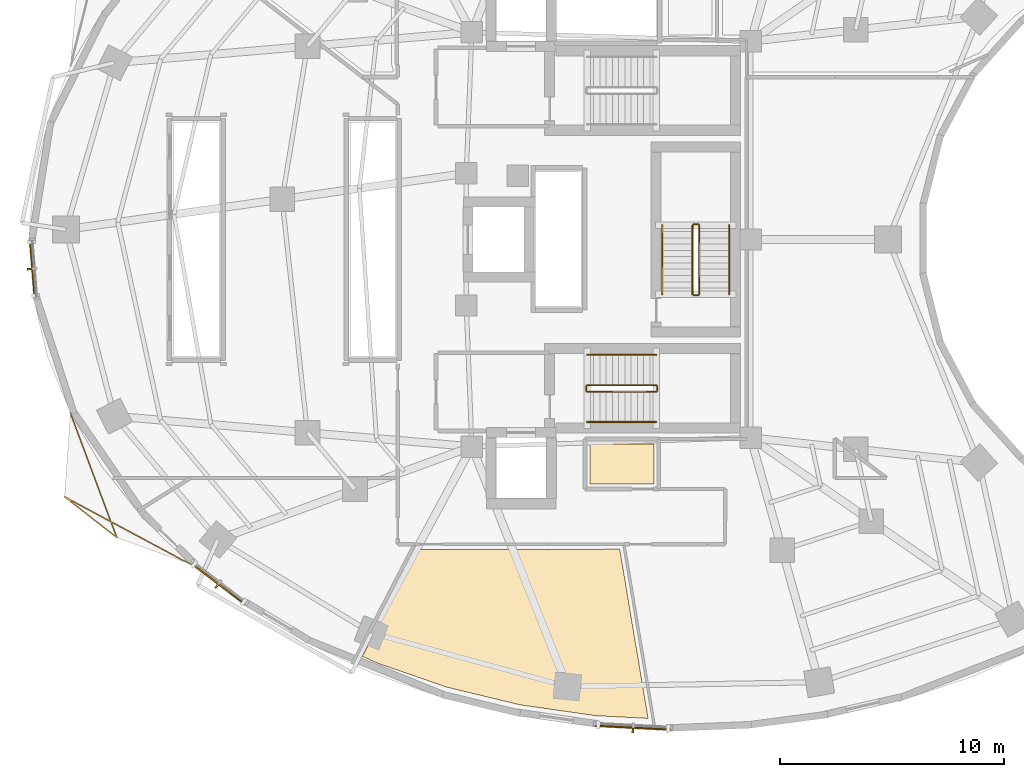
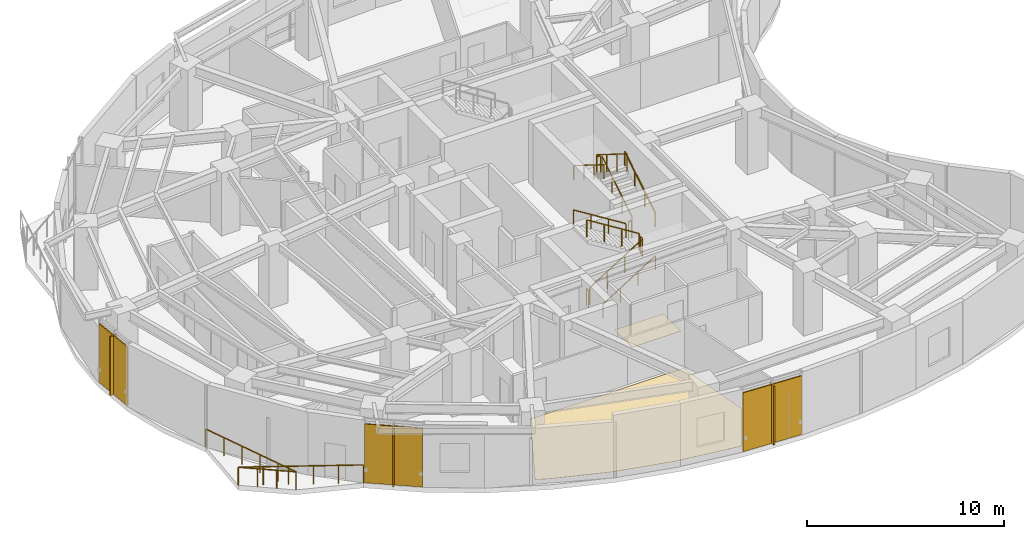
# One storey, part 12 of 14: 13 railings, 6 shading devices, 2 coverings.
"""IFC4 building model written with IfcOpenShell, lengths in metres."""

from ifc_helpers import new_model, si_unit, direction, frame, origin, origin_2d, place, context, subcontext, project, spatial, polyline, rectangle, outline, extrude, material, layer, layer_set, type_object, element, save


model = new_model("IFC4")

# Units and contexts
model_context = context("Model", 3, precision=1e-05, world=origin(), true_north=direction((0.0, 1.0)))
body_context = subcontext(model_context, "Body", "Model", "MODEL_VIEW")
ifc_project = project(units=[si_unit("LENGTHUNIT", "METRE"), si_unit("AREAUNIT", "SQUARE_METRE"), si_unit("VOLUMEUNIT", "CUBIC_METRE"), si_unit("PLANEANGLEUNIT", "RADIAN"), si_unit("MASSUNIT", "GRAM", prefix="KILO")], contexts=[model_context])

# Site, building, storey
site_placement = place(None, origin())
site = spatial("IfcSite", under=ifc_project, at=site_placement, CompositionType="ELEMENT")
building_placement = place(site_placement, origin())
building = spatial("IfcBuilding", under=site, at=building_placement, Name="Korentha Bioscience Tower", CompositionType="ELEMENT")
storey_placement = place(building_placement, frame((0.0, 0.0, 132.0)))
storey = spatial("IfcBuildingStorey", under=building, at=storey_placement, Name="L30", CompositionType="ELEMENT", Elevation=132.0)

# Railings
ifc_material_1 = material(Name="Stainless Steel 304", Category="steel")
railing_type_1 = type_object("IfcRailingType", Name="Brushed Stainless Stair Handrail 900", PredefinedType="HANDRAIL", material=ifc_material_1)
railing_1_placement = place(storey_placement, frame((30.25, 18.85009765625, 0.175048828125)))
element("IfcRailing", 1, at=railing_1_placement, inside=storey, type_object=railing_type_1, Name="L30 ST-2 stair handrail 1", PredefinedType="HANDRAIL", context=body_context, shape_type="SweptSolid", body=[
    extrude(rectangle(XDim=0.048095703125, YDim=0.048095703125, at=origin_2d()), frame((0.0, 0.0, 0.8759765625), z_axis=(0.847998304005, 0.0, 0.529998940003), x_axis=(0.0, 1.0, 0.0)), (0.0, 0.0, 1.0), 3.632080078125),
    extrude(rectangle(XDim=0.0419921875, YDim=0.0419921875, at=origin_2d()), origin(), (0.0, 0.0, 1.0), 0.851806640625),
    extrude(rectangle(XDim=0.0419921875, YDim=0.0419921875, at=origin_2d()), frame((1.026611328125, 0.0, 0.6416015625)), (0.0, 0.0, 1.0), 0.851806640625),
    extrude(rectangle(XDim=0.0419921875, YDim=0.0419921875, at=origin_2d()), frame((2.053466796875, 0.0, 1.283447265625)), (0.0, 0.0, 1.0), 0.851806640625),
    extrude(rectangle(XDim=0.0419921875, YDim=0.0419921875, at=origin_2d()), frame((3.080078125, 0.0, 1.925048828125)), (0.0, 0.0, 1.0), 0.851806640625),
])
railing_2_placement = place(storey_placement, frame((33.330078125, 21.85009765625, 2.27490234375)))
element("IfcRailing", 2, at=railing_2_placement, inside=storey, type_object=railing_type_1, Name="L30 ST-2 stair handrail 2", PredefinedType="HANDRAIL", context=body_context, shape_type="SweptSolid", body=[
    extrude(rectangle(XDim=0.048095703125, YDim=0.048095703125, at=origin_2d()), frame((0.0, 0.0, 0.8759765625), z_axis=(-0.847998304005, 0.0, 0.529998940003), x_axis=(0.0, -1.0, 0.0)), (0.0, 0.0, 1.0), 3.632080078125),
    extrude(rectangle(XDim=0.0419921875, YDim=0.0419921875, at=origin_2d()), origin(), (0.0, 0.0, 1.0), 0.851806640625),
    extrude(rectangle(XDim=0.0419921875, YDim=0.0419921875, at=origin_2d()), frame((-1.026611328125, 0.0, 0.6416015625)), (0.0, 0.0, 1.0), 0.851806640625),
    extrude(rectangle(XDim=0.0419921875, YDim=0.0419921875, at=origin_2d()), frame((-2.053466796875, 0.0, 1.283447265625)), (0.0, 0.0, 1.0), 0.851806640625),
    extrude(rectangle(XDim=0.0419921875, YDim=0.0419921875, at=origin_2d()), frame((-3.080078125, 0.0, 1.925048828125)), (0.0, 0.0, 1.0), 0.851806640625),
])
railing_3_placement = place(storey_placement, frame((36.60009765625, 24.550048828125, 0.175048828125)))
element("IfcRailing", 3, at=railing_3_placement, inside=storey, type_object=railing_type_1, Name="L30 ST-3 stair handrail 1", PredefinedType="HANDRAIL", context=body_context, shape_type="SweptSolid", body=[
    extrude(rectangle(XDim=0.048095703125, YDim=0.048095703125, at=origin_2d()), frame((0.0, 0.0, 0.8759765625), z_axis=(0.0, 0.847979421464, 0.530029150871), x_axis=(-1.0, 0.0, 0.0)), (0.0, 0.0, 1.0), 3.632080078125),
    extrude(rectangle(XDim=0.0419921875, YDim=0.0419921875, at=origin_2d()), origin(), (0.0, 0.0, 1.0), 0.851806640625),
    extrude(rectangle(XDim=0.0419921875, YDim=0.0419921875, at=origin_2d()), frame((0.0, 1.026611328125, 0.6416015625)), (0.0, 0.0, 1.0), 0.851806640625),
    extrude(rectangle(XDim=0.0419921875, YDim=0.0419921875, at=origin_2d()), frame((0.0, 2.05322265625, 1.283447265625)), (0.0, 0.0, 1.0), 0.851806640625),
    extrude(rectangle(XDim=0.0419921875, YDim=0.0419921875, at=origin_2d()), frame((0.0, 3.079833984375, 1.925048828125)), (0.0, 0.0, 1.0), 0.851806640625),
])
railing_4_placement = place(storey_placement, frame((33.60009765625, 27.6298828125, 2.27490234375)))
element("IfcRailing", 4, at=railing_4_placement, inside=storey, type_object=railing_type_1, Name="L30 ST-3 stair handrail 2", PredefinedType="HANDRAIL", context=body_context, shape_type="SweptSolid", body=[
    extrude(rectangle(XDim=0.048095703125, YDim=0.048095703125, at=origin_2d()), frame((0.0, 0.0, 0.8759765625), z_axis=(0.0, -0.847979421464, 0.530029150871), x_axis=(1.0, 0.0, 0.0)), (0.0, 0.0, 1.0), 3.632080078125),
    extrude(rectangle(XDim=0.0419921875, YDim=0.0419921875, at=origin_2d()), origin(), (0.0, 0.0, 1.0), 0.851806640625),
    extrude(rectangle(XDim=0.0419921875, YDim=0.0419921875, at=origin_2d()), frame((0.0, -1.026611328125, 0.6416015625)), (0.0, 0.0, 1.0), 0.851806640625),
    extrude(rectangle(XDim=0.0419921875, YDim=0.0419921875, at=origin_2d()), frame((0.0, -2.05322265625, 1.283447265625)), (0.0, 0.0, 1.0), 0.851806640625),
    extrude(rectangle(XDim=0.0419921875, YDim=0.0419921875, at=origin_2d()), frame((0.0, -3.079833984375, 1.925048828125)), (0.0, 0.0, 1.0), 0.851806640625),
])
ifc_material_2 = material(Name="Laminated Tempered Safety Glass", Category="glass")
railing_type_2 = type_object("IfcRailingType", Name="Laminated Glass Balcony Guardrail 1150", PredefinedType="BALUSTRADE", material=ifc_material_2)
railing_5_placement = place(storey_placement, frame((7.17626953125, 19.25390625, 0.0)))
element("IfcRailing", 5, at=railing_5_placement, inside=storey, type_object=railing_type_2, Name="L30 Balcony Guardrail 03", PredefinedType="BALUSTRADE", context=body_context, shape_type="SweptSolid", body=[
    extrude(rectangle(XDim=0.048095703125, YDim=0.048095703125, at=origin_2d()), frame((0.0, 0.0, 1.1259765625), z_axis=(0.349155006041, -0.937064982675, 0.0), x_axis=(0.937064982675, 0.349155006041, 0.0)), (0.0, 0.0, 1.0), 5.942138671875),
    extrude(rectangle(XDim=0.048095703125, YDim=0.048095703125, at=origin_2d()), frame((2.07470703125, -5.568115234375, 1.1259765625), z_axis=(-0.78833232716, 0.615249658231, 0.0), x_axis=(-0.615249658231, -0.78833232716, 0.0)), (0.0, 0.0, 1.0), 2.9677734375),
    extrude(rectangle(XDim=0.048095703125, YDim=0.048095703125, at=origin_2d()), frame((-0.264892578125, -3.7421875, 1.1259765625), z_axis=(0.881422384885, -0.472328889042, 0.0), x_axis=(0.472328889042, 0.881422384885, 0.0)), (0.0, 0.0, 1.0), 6.366455078125),
    extrude(rectangle(XDim=0.0419921875, YDim=0.0419921875, at=origin_2d()), origin(), (0.0, 0.0, 1.0), 1.101806640625),
    extrude(rectangle(XDim=0.0419921875, YDim=0.0419921875, at=origin_2d()), frame((0.4150390625, -1.113525390625, 0.0)), (0.0, 0.0, 1.0), 1.101806640625),
    extrude(rectangle(XDim=0.0419921875, YDim=0.0419921875, at=origin_2d()), frame((0.829833984375, -2.227294921875, 0.0)), (0.0, 0.0, 1.0), 1.101806640625),
    extrude(rectangle(XDim=0.0419921875, YDim=0.0419921875, at=origin_2d()), frame((1.244873046875, -3.3408203125, 0.0)), (0.0, 0.0, 1.0), 1.101806640625),
    extrude(rectangle(XDim=0.0419921875, YDim=0.0419921875, at=origin_2d()), frame((1.65966796875, -4.45458984375, 0.0)), (0.0, 0.0, 1.0), 1.101806640625),
    extrude(rectangle(XDim=0.0419921875, YDim=0.0419921875, at=origin_2d()), frame((2.07470703125, -5.568115234375, 0.0)), (0.0, 0.0, 1.0), 1.101806640625),
    extrude(rectangle(XDim=0.0419921875, YDim=0.0419921875, at=origin_2d()), frame((1.294921875, -4.95947265625, 0.0)), (0.0, 0.0, 1.0), 1.101806640625),
    extrude(rectangle(XDim=0.0419921875, YDim=0.0419921875, at=origin_2d()), frame((0.514892578125, -4.350830078125, 0.0)), (0.0, 0.0, 1.0), 1.101806640625),
    extrude(rectangle(XDim=0.0419921875, YDim=0.0419921875, at=origin_2d()), frame((-0.264892578125, -3.7421875, 0.0)), (0.0, 0.0, 1.0), 1.101806640625),
    extrude(rectangle(XDim=0.0419921875, YDim=0.0419921875, at=origin_2d()), frame((0.857421875, -4.343505859375, 0.0)), (0.0, 0.0, 1.0), 1.101806640625),
    extrude(rectangle(XDim=0.0419921875, YDim=0.0419921875, at=origin_2d()), frame((1.979736328125, -4.945068359375, 0.0)), (0.0, 0.0, 1.0), 1.101806640625),
    extrude(rectangle(XDim=0.0419921875, YDim=0.0419921875, at=origin_2d()), frame((3.10205078125, -5.54638671875, 0.0)), (0.0, 0.0, 1.0), 1.101806640625),
    extrude(rectangle(XDim=0.0419921875, YDim=0.0419921875, at=origin_2d()), frame((4.224365234375, -6.14794921875, 0.0)), (0.0, 0.0, 1.0), 1.101806640625),
    extrude(rectangle(XDim=0.0419921875, YDim=0.0419921875, at=origin_2d()), frame((5.3466796875, -6.749267578125, 0.0)), (0.0, 0.0, 1.0), 1.101806640625),
])
ifc_material_3 = material(Name="Painted Steel S275", Category="steel")
railing_type_3 = type_object("IfcRailingType", Name="Painted Steel Stair Well Guardrail 1100", PredefinedType="GUARDRAIL", material=ifc_material_3)
railing_6_placement = place(storey_placement, frame((30.25, 20.199951171875, 0.175048828125)))
element("IfcRailing", 6, at=railing_6_placement, inside=storey, type_object=railing_type_3, Name="L30 ST-2 stair guard 1", PredefinedType="GUARDRAIL", context=body_context, shape_type="SweptSolid", body=[
    extrude(rectangle(XDim=0.048095703125, YDim=0.048095703125, at=origin_2d()), frame((0.0, 0.0, 1.076171875), z_axis=(0.847998304005, 0.0, 0.529998940003), x_axis=(0.0, 1.0, 0.0)), (0.0, 0.0, 1.0), 3.632080078125),
    extrude(rectangle(XDim=0.0419921875, YDim=0.0419921875, at=origin_2d()), origin(), (0.0, 0.0, 1.0), 1.052001953125),
    extrude(rectangle(XDim=0.0419921875, YDim=0.0419921875, at=origin_2d()), frame((1.026611328125, 0.0, 0.6416015625)), (0.0, 0.0, 1.0), 1.052001953125),
    extrude(rectangle(XDim=0.0419921875, YDim=0.0419921875, at=origin_2d()), frame((2.053466796875, 0.0, 1.283447265625)), (0.0, 0.0, 1.0), 1.052001953125),
    extrude(rectangle(XDim=0.0419921875, YDim=0.0419921875, at=origin_2d()), frame((3.080078125, 0.0, 1.925048828125)), (0.0, 0.0, 1.0), 1.052001953125),
])
railing_7_placement = place(storey_placement, frame((33.3798828125, 20.25, 2.10009765625)))
element("IfcRailing", 7, at=railing_7_placement, inside=storey, type_object=railing_type_3, Name="L30 ST-2 stair guard 2", PredefinedType="GUARDRAIL", context=body_context, shape_type="SweptSolid", body=[
    extrude(rectangle(XDim=0.048095703125, YDim=0.048095703125, at=origin_2d()), frame((0.0, 0.0, 1.076171875), z_axis=(0.0, 1.0, 0.0), x_axis=(-1.0, 0.0, 0.0)), (0.0, 0.0, 1.0), 0.199951171875),
    extrude(rectangle(XDim=0.0419921875, YDim=0.0419921875, at=origin_2d()), origin(), (0.0, 0.0, 1.0), 1.052001953125),
    extrude(rectangle(XDim=0.0419921875, YDim=0.0419921875, at=origin_2d()), frame((0.0, 0.199951171875, 0.0)), (0.0, 0.0, 1.0), 1.052001953125),
])
railing_8_placement = place(storey_placement, frame((33.330078125, 20.5, 2.27490234375)))
element("IfcRailing", 8, at=railing_8_placement, inside=storey, type_object=railing_type_3, Name="L30 ST-2 stair guard 3", PredefinedType="GUARDRAIL", context=body_context, shape_type="SweptSolid", body=[
    extrude(rectangle(XDim=0.048095703125, YDim=0.048095703125, at=origin_2d()), frame((0.0, 0.0, 1.076171875), z_axis=(-0.847998304005, 0.0, 0.529998940003), x_axis=(0.0, -1.0, 0.0)), (0.0, 0.0, 1.0), 3.632080078125),
    extrude(rectangle(XDim=0.0419921875, YDim=0.0419921875, at=origin_2d()), origin(), (0.0, 0.0, 1.0), 1.052001953125),
    extrude(rectangle(XDim=0.0419921875, YDim=0.0419921875, at=origin_2d()), frame((-1.026611328125, 0.0, 0.6416015625)), (0.0, 0.0, 1.0), 1.052001953125),
    extrude(rectangle(XDim=0.0419921875, YDim=0.0419921875, at=origin_2d()), frame((-2.053466796875, 0.0, 1.283447265625)), (0.0, 0.0, 1.0), 1.052001953125),
    extrude(rectangle(XDim=0.0419921875, YDim=0.0419921875, at=origin_2d()), frame((-3.080078125, 0.0, 1.925048828125)), (0.0, 0.0, 1.0), 1.052001953125),
])
railing_9_placement = place(storey_placement, frame((30.199951171875, 20.25, 0.0)))
element("IfcRailing", 9, at=railing_9_placement, inside=storey, type_object=railing_type_3, Name="L30 ST-2 stair guard 4", PredefinedType="GUARDRAIL", context=body_context, shape_type="SweptSolid", body=[
    extrude(rectangle(XDim=0.048095703125, YDim=0.048095703125, at=origin_2d()), frame((0.0, 0.0, 1.076171875), z_axis=(0.0, 1.0, 0.0), x_axis=(-1.0, 0.0, 0.0)), (0.0, 0.0, 1.0), 0.199951171875),
    extrude(rectangle(XDim=0.0419921875, YDim=0.0419921875, at=origin_2d()), origin(), (0.0, 0.0, 1.0), 1.052001953125),
    extrude(rectangle(XDim=0.0419921875, YDim=0.0419921875, at=origin_2d()), frame((0.0, 0.199951171875, 0.0)), (0.0, 0.0, 1.0), 1.052001953125),
])
railing_10_placement = place(storey_placement, frame((35.25, 24.550048828125, 0.175048828125)))
element("IfcRailing", 10, at=railing_10_placement, inside=storey, type_object=railing_type_3, Name="L30 ST-3 stair guard 1", PredefinedType="GUARDRAIL", context=body_context, shape_type="SweptSolid", body=[
    extrude(rectangle(XDim=0.048095703125, YDim=0.048095703125, at=origin_2d()), frame((0.0, 0.0, 1.076171875), z_axis=(0.0, 0.847979421464, 0.530029150871), x_axis=(-1.0, 0.0, 0.0)), (0.0, 0.0, 1.0), 3.632080078125),
    extrude(rectangle(XDim=0.0419921875, YDim=0.0419921875, at=origin_2d()), origin(), (0.0, 0.0, 1.0), 1.052001953125),
    extrude(rectangle(XDim=0.0419921875, YDim=0.0419921875, at=origin_2d()), frame((0.0, 1.026611328125, 0.6416015625)), (0.0, 0.0, 1.0), 1.052001953125),
    extrude(rectangle(XDim=0.0419921875, YDim=0.0419921875, at=origin_2d()), frame((0.0, 2.05322265625, 1.283447265625)), (0.0, 0.0, 1.0), 1.052001953125),
    extrude(rectangle(XDim=0.0419921875, YDim=0.0419921875, at=origin_2d()), frame((0.0, 3.079833984375, 1.925048828125)), (0.0, 0.0, 1.0), 1.052001953125),
])
railing_11_placement = place(storey_placement, frame((35.199951171875, 27.679931640625, 2.10009765625)))
element("IfcRailing", 11, at=railing_11_placement, inside=storey, type_object=railing_type_3, Name="L30 ST-3 stair guard 2", PredefinedType="GUARDRAIL", context=body_context, shape_type="SweptSolid", body=[
    extrude(rectangle(XDim=0.048095703125, YDim=0.048095703125, at=origin_2d()), frame((0.0, 0.0, 1.076171875), z_axis=(-1.0, 0.0, 0.0), x_axis=(0.0, -1.0, 0.0)), (0.0, 0.0, 1.0), 0.199951171875),
    extrude(rectangle(XDim=0.0419921875, YDim=0.0419921875, at=origin_2d()), origin(), (0.0, 0.0, 1.0), 1.052001953125),
    extrude(rectangle(XDim=0.0419921875, YDim=0.0419921875, at=origin_2d()), frame((-0.199951171875, 0.0, 0.0)), (0.0, 0.0, 1.0), 1.052001953125),
])
railing_12_placement = place(storey_placement, frame((34.949951171875, 27.6298828125, 2.27490234375)))
element("IfcRailing", 12, at=railing_12_placement, inside=storey, type_object=railing_type_3, Name="L30 ST-3 stair guard 3", PredefinedType="GUARDRAIL", context=body_context, shape_type="SweptSolid", body=[
    extrude(rectangle(XDim=0.048095703125, YDim=0.048095703125, at=origin_2d()), frame((0.0, 0.0, 1.076171875), z_axis=(0.0, -0.847979421464, 0.530029150871), x_axis=(1.0, 0.0, 0.0)), (0.0, 0.0, 1.0), 3.632080078125),
    extrude(rectangle(XDim=0.0419921875, YDim=0.0419921875, at=origin_2d()), origin(), (0.0, 0.0, 1.0), 1.052001953125),
    extrude(rectangle(XDim=0.0419921875, YDim=0.0419921875, at=origin_2d()), frame((0.0, -1.026611328125, 0.6416015625)), (0.0, 0.0, 1.0), 1.052001953125),
    extrude(rectangle(XDim=0.0419921875, YDim=0.0419921875, at=origin_2d()), frame((0.0, -2.05322265625, 1.283447265625)), (0.0, 0.0, 1.0), 1.052001953125),
    extrude(rectangle(XDim=0.0419921875, YDim=0.0419921875, at=origin_2d()), frame((0.0, -3.079833984375, 1.925048828125)), (0.0, 0.0, 1.0), 1.052001953125),
])
railing_13_placement = place(storey_placement, frame((35.199951171875, 24.5, 0.0)))
element("IfcRailing", 13, at=railing_13_placement, inside=storey, type_object=railing_type_3, Name="L30 ST-3 stair guard 4", PredefinedType="GUARDRAIL", context=body_context, shape_type="SweptSolid", body=[
    extrude(rectangle(XDim=0.048095703125, YDim=0.048095703125, at=origin_2d()), frame((0.0, 0.0, 1.076171875), z_axis=(-1.0, 0.0, 0.0), x_axis=(0.0, -1.0, 0.0)), (0.0, 0.0, 1.0), 0.199951171875),
    extrude(rectangle(XDim=0.0419921875, YDim=0.0419921875, at=origin_2d()), origin(), (0.0, 0.0, 1.0), 1.052001953125),
    extrude(rectangle(XDim=0.0419921875, YDim=0.0419921875, at=origin_2d()), frame((-0.199951171875, 0.0, 0.0)), (0.0, 0.0, 1.0), 1.052001953125),
])

# Shading devices
ifc_material_4 = material(Name="Perforated Stone-Ceramic Composite", Category="masonry")
ifc_layer_1 = layer(ifc_material_4, 0.06494140625, Name="Perforated Stone-Ceramic Composite")
ifc_layer_set_1 = layer_set([ifc_layer_1], Name="Perforated Stone-Ceramic Composite (CS-01)")
shading_device_type_1 = type_object("IfcShadingDeviceType", Name="Perforated Stone-Ceramic Solar Screen Panel 65", PredefinedType="USERDEFINED", material=ifc_layer_set_1)
shading_device_1_placement = place(storey_placement, frame((5.478271484375, 25.6884765625, 0.0), z_axis=(0.0, 0.0, 1.0), x_axis=(0.079130214674, -0.996864288219, 0.0)))
element("IfcShadingDevice", 14, at=shading_device_1_placement, inside=storey, type_object=shading_device_type_1, Name="CW-L30-19 Perforated Stone-Ceramic Solar Screen", ObjectType="SCREEN", PredefinedType="USERDEFINED", context=body_context, shape_type="SweptSolid", body=[
    extrude(rectangle(XDim=2.540771484375, YDim=0.06494140625, at=origin_2d()), origin(), (0.0, 0.0, 1.0), 3.64990234375),
])
shading_device_2_placement = place(storey_placement, frame((13.7841796875, 11.616455078125, 0.0), z_axis=(0.0, 0.0, 1.0), x_axis=(0.794499603893, -0.607264669986, 0.0)))
element("IfcShadingDevice", 15, at=shading_device_2_placement, inside=storey, type_object=shading_device_type_1, Name="CW-L30-25 Perforated Stone-Ceramic Solar Screen", ObjectType="SCREEN", PredefinedType="USERDEFINED", context=body_context, shape_type="SweptSolid", body=[
    extrude(rectangle(XDim=2.98291015625, YDim=0.06494140625, at=origin_2d()), origin(), (0.0, 0.0, 1.0), 3.64990234375),
])
shading_device_3_placement = place(storey_placement, frame((32.2958984375, 5.201904296875, 0.0), z_axis=(0.0, 0.0, 1.0), x_axis=(0.998673231344, -0.051495407527, 0.0)))
element("IfcShadingDevice", 16, at=shading_device_3_placement, inside=storey, type_object=shading_device_type_1, Name="CW-L30-31 Perforated Stone-Ceramic Solar Screen", ObjectType="SCREEN", PredefinedType="USERDEFINED", context=body_context, shape_type="SweptSolid", body=[
    extrude(rectangle(XDim=3.373779296875, YDim=0.06494140625, at=origin_2d()), origin(), (0.0, 0.0, 1.0), 3.64990234375),
])

# Coverings
ifc_material_5 = material(Name="Chemical-Resistant Epoxy Resin", Category="polymer")
ifc_layer_2 = layer(ifc_material_5, 0.011962890625, Name="Chemical-Resistant Epoxy Resin")
ifc_layer_set_2 = layer_set([ifc_layer_2], Name="Chemical-Resistant Epoxy Resin (FL-EPX)")
covering_type = type_object("IfcCoveringType", Name="Seamless Epoxy Laboratory Flooring 12", PredefinedType="FLOORING", material=ifc_layer_set_2)
covering_1_placement = place(storey_placement, origin())
element("IfcCovering", 17, at=covering_1_placement, inside=storey, type_object=covering_type, Name="L30 Core Instrumentation and Gas Store Floor Finish", PredefinedType="FLOORING", context=body_context, shape_type="SweptSolid", body=[
    extrude(outline(polyline([(30.3701171875, 16.080078125), (30.3701171875, 17.8701171875), (33.22998046875, 17.8701171875), (33.22998046875, 16.080078125), (30.3701171875, 16.080078125)])), origin(), (0.0, 0.0, 1.0), 0.011962890625),
])
covering_2_placement = place(storey_placement, origin())
element("IfcCovering", 18, at=covering_2_placement, inside=storey, type_object=covering_type, Name="L30 Research Colloquium Seminar Room 03 Floor Finish", PredefinedType="FLOORING", context=body_context, shape_type="SweptSolid", body=[
    extrude(outline(polyline([(23.972900390625, 7.01513671875), (20.857666015625, 8.094482421875), (20.215576171875, 8.392333984375), (22.690673828125, 13.16552734375), (31.701416015625, 13.169921875), (32.9677734375, 5.617919921875), (30.60791015625, 5.739501953125), (27.239013671875, 6.22607421875), (23.972900390625, 7.01513671875)])), origin(), (0.0, 0.0, 1.0), 0.011962890625),
])

# Shading devices
ifc_material_6 = material(Name="Honed Travertine Limestone", Category="masonry")
ifc_layer_3 = layer(ifc_material_6, 0.080078125, Name="Honed Travertine Limestone")
ifc_layer_set_3 = layer_set([ifc_layer_3], Name="Honed Travertine Limestone (CS-02)")
shading_device_type_2 = type_object("IfcShadingDeviceType", Name="Vertical Honed Limestone Sunshade Fin 80x420", PredefinedType="USERDEFINED", material=ifc_layer_set_3)
for number, where, z_axis, x_axis, name in (
    (19, (5.458251953125, 25.68701171875, 0.0), (0.0, 0.0, 1.0), (0.079130214674, -0.996864288219, 0.0), "CW-L30-19 Limestone Sunshade Fin"),
    (20, (13.77197265625, 11.600341796875, 0.0), (0.0, 0.0, 1.0), (0.794499603893, -0.607264669986, 0.0), "CW-L30-25 Limestone Sunshade Fin"),
    (21, (32.294921875, 5.18212890625, 0.0), (0.0, 0.0, 1.0), (0.998673231344, -0.051495407527, 0.0), "CW-L30-31 Limestone Sunshade Fin"),
):
    element("IfcShadingDevice", number, at=place(storey_placement, frame(where, z_axis=z_axis, x_axis=x_axis)), inside=storey, type_object=shading_device_type_2, Name=name, ObjectType="SCREEN", PredefinedType="USERDEFINED", context=body_context, shape_type="SweptSolid", body=[
        extrude(rectangle(XDim=0.080078125, YDim=0.419921875, at=origin_2d()), origin(), (0.0, 0.0, 1.0), 3.64990234375),
    ])

save(model, "model.ifc")
